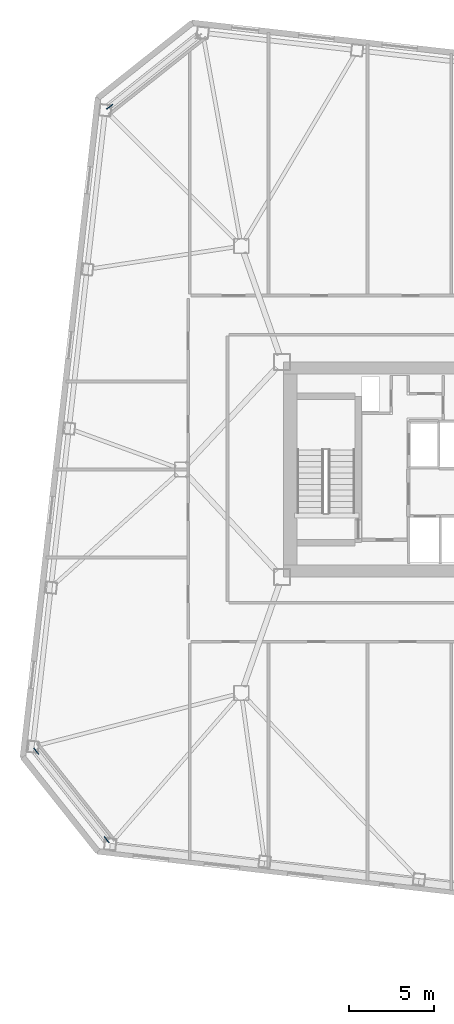
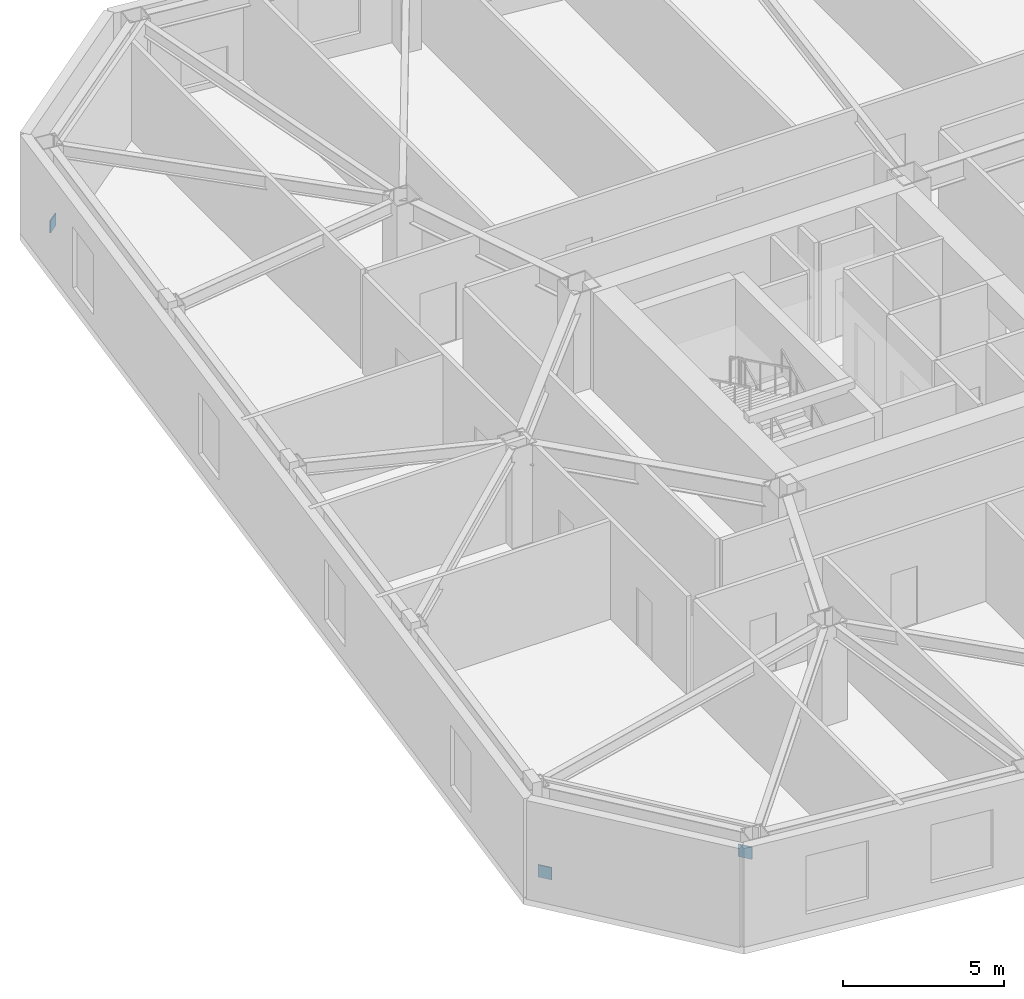
# One storey, part 17 of 21: 3 discrete accessories.
"""IFC4 building model written with IfcOpenShell, lengths in metres."""

from ifc_helpers import new_model, si_unit, direction, frame, origin, origin_2d, place, context, subcontext, project, spatial, rectangle, extrude, material, type_object, element, save


model = new_model("IFC4")

# Units and contexts
model_context = context("Model", 3, precision=1e-05, world=origin(), true_north=direction((0.0, 1.0)))
body_context = subcontext(model_context, "Body", "Model", "MODEL_VIEW")
ifc_project = project(units=[si_unit("LENGTHUNIT", "METRE"), si_unit("AREAUNIT", "SQUARE_METRE"), si_unit("VOLUMEUNIT", "CUBIC_METRE"), si_unit("PLANEANGLEUNIT", "RADIAN"), si_unit("MASSUNIT", "GRAM", prefix="KILO")], contexts=[model_context])

# Site, building, storey
site_placement = place(None, origin())
site = spatial("IfcSite", under=ifc_project, at=site_placement, CompositionType="ELEMENT")
building_placement = place(site_placement, origin())
building = spatial("IfcBuilding", under=site, at=building_placement, Name="Tavrogorsk Clinical Tower", CompositionType="ELEMENT")
storey_placement = place(building_placement, frame((0.0, 0.0, 137.39990234375)))
storey = spatial("IfcBuildingStorey", under=building, at=storey_placement, Name="L31", CompositionType="ELEMENT", Elevation=137.39990234375)

# Discrete accessories
ifc_material = material(Name="Structural steel S440", Category="steel")
discrete_accessory_type = type_object("IfcDiscreteAccessoryType", Name="GussetPlateBracket_25", PredefinedType="BRACKET", material=ifc_material)
for number, where, z_axis, x_axis, name in (
    (1, (-32.27587890625, 21.431884765625, 0.195068359375), (0.0, 0.0, 1.0), (0.782608156852, 0.622514636638, 0.0), "L31 Brace Gusset Plate EXOCRN-L31-3-A"),
    (2, (-36.613037109375, -16.63623046875, 0.195068359375), (0.0, 0.0, 1.0), (0.622514636638, -0.782608156852, 0.0), "L31 Brace Gusset Plate EXOCRN-L31-4-A"),
    (3, (-32.452880859375, -21.866455078125, 2.68505859375), (0.0, 0.0, 1.0), (0.622514636638, -0.782608156852, 0.0), "L31 Brace Gusset Plate EXOCRN-L31-4-B"),
):
    element("IfcDiscreteAccessory", number, at=place(storey_placement, frame(where, z_axis=z_axis, x_axis=x_axis)), inside=storey, type_object=discrete_accessory_type, Name=name, PredefinedType="BRACKET", context=body_context, shape_type="SweptSolid", body=[
        extrude(rectangle(XDim=0.4599609375, YDim=0.0400390625, at=origin_2d()), origin(), (0.0, 0.0, 1.0), 0.4599609375),
    ])

save(model, "model.ifc")
